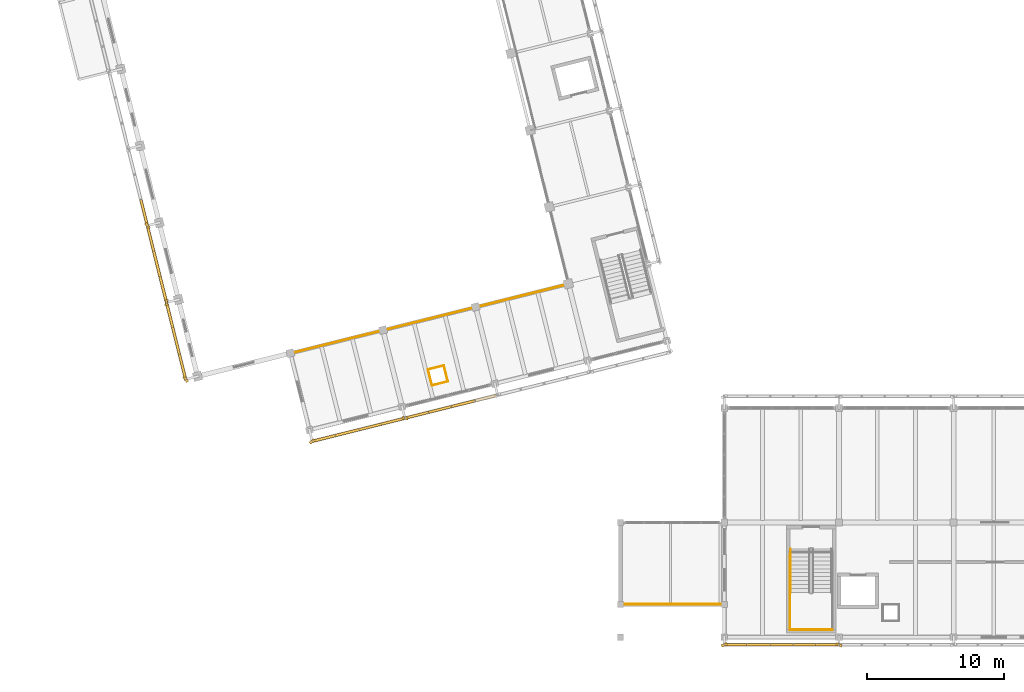
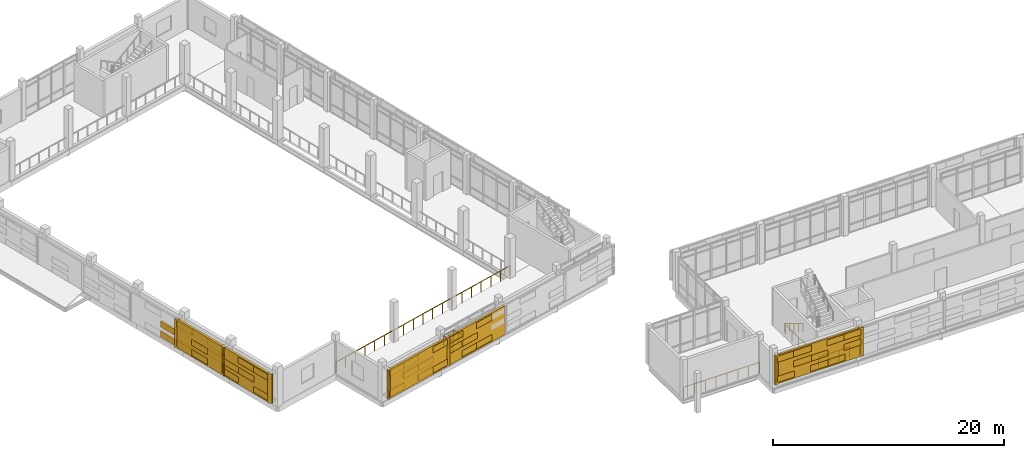
# One storey, part 120 of 137: 45 coverings, 9 railings, 5 shading devices.
"""IFC4 building model written with IfcOpenShell, lengths in metres."""

from ifc_helpers import new_model, si_unit, direction, frame, origin, origin_2d, place, context, subcontext, project, spatial, rectangle, circle, extrude, material, layer, layer_set, type_object, element, save


model = new_model("IFC4")

# Units and contexts
model_context = context("Model", 3, precision=1e-05, world=origin(), true_north=direction((0.0, 1.0)))
body_context = subcontext(model_context, "Body", "Model", "MODEL_VIEW")
ifc_project = project(units=[si_unit("LENGTHUNIT", "METRE"), si_unit("AREAUNIT", "SQUARE_METRE"), si_unit("VOLUMEUNIT", "CUBIC_METRE"), si_unit("PLANEANGLEUNIT", "RADIAN"), si_unit("MASSUNIT", "GRAM", prefix="KILO")], contexts=[model_context])

# Site, building, storey
site_placement = place(None, origin())
site = spatial("IfcSite", under=ifc_project, at=site_placement, CompositionType="ELEMENT")
building_placement = place(site_placement, origin())
building = spatial("IfcBuilding", under=site, at=building_placement, Name="Cinderway Yard Community Centre", CompositionType="ELEMENT")
storey_placement = place(building_placement, frame((0.0, 0.0, 4.800048828125)))
storey = spatial("IfcBuildingStorey", under=building, at=storey_placement, Name="L01", CompositionType="ELEMENT", Elevation=4.800048828125)

# Coverings
ifc_material_1 = material(Name="Brick Masonry", Category="masonry")
ifc_layer = layer(ifc_material_1, 0.18994140625, Name="Brick Masonry")
ifc_layer_set = layer_set([ifc_layer], Name="Brick Masonry")
covering_type = type_object("IfcCoveringType", Name="ENV-COV-BRK-SCREEN", PredefinedType="CLADDING", material=ifc_layer_set)
for number, where, z_axis, x_axis, name in (
    (1, (58.39990234375, 5.449951171875, 0.64990234375), (0.0, 0.0, 1.0), (-0.913545457643, -0.406736643076, 0.0), "Deconstructivist folded brick fin 0745"),
    (2, (66.800048828125, 5.449951171875, 0.64990234375), (0.0, 0.0, 1.0), (-0.913545457643, 0.406736643076, 0.0), "Deconstructivist folded brick fin 0746"),
):
    element("IfcCovering", number, at=place(storey_placement, frame(where, z_axis=z_axis, x_axis=x_axis)), inside=storey, type_object=covering_type, Name=name, PredefinedType="CLADDING", context=body_context, shape_type="SweptSolid", body=[
        extrude(rectangle(XDim=0.4599609375, YDim=0.199951171875, at=origin_2d()), origin(), (0.0, 0.0, 1.0), 3.050048828125),
    ])
for number, where, z_axis, x_axis, name in (
    (3, (59.239990234375, 5.449951171875, 0.7900390625), (0.0, 0.0, 1.0), (-1.0, 0.0, 0.0), "Open-bond perforated brick screen course 00752"),
    (4, (62.60009765625, 5.449951171875, 0.7900390625), (0.0, 0.0, 1.0), (-1.0, 0.0, 0.0), "Open-bond perforated brick screen course 00753"),
    (5, (64.280029296875, 5.449951171875, 0.7900390625), (0.0, 0.0, 1.0), (-1.0, 0.0, 0.0), "Open-bond perforated brick screen course 00754"),
    (6, (60.919921875, 5.449951171875, 1.85205078125), (0.0, 0.0, 1.0), (-1.0, 0.0, 0.0), "Open-bond perforated brick screen course 00755"),
    (7, (62.60009765625, 5.449951171875, 1.85205078125), (0.0, 0.0, 1.0), (-1.0, 0.0, 0.0), "Open-bond perforated brick screen course 00756"),
    (8, (65.9599609375, 5.449951171875, 1.85205078125), (0.0, 0.0, 1.0), (-1.0, 0.0, 0.0), "Open-bond perforated brick screen course 00757"),
    (9, (59.239990234375, 5.449951171875, 2.9140625), (0.0, 0.0, 1.0), (-1.0, 0.0, 0.0), "Open-bond perforated brick screen course 00758"),
    (10, (60.919921875, 5.449951171875, 2.9140625), (0.0, 0.0, 1.0), (-1.0, 0.0, 0.0), "Open-bond perforated brick screen course 00759"),
    (11, (64.280029296875, 5.449951171875, 2.9140625), (0.0, 0.0, 1.0), (-1.0, 0.0, 0.0), "Open-bond perforated brick screen course 00760"),
    (12, (65.9599609375, 5.449951171875, 2.9140625), (0.0, 0.0, 1.0), (-1.0, 0.0, 0.0), "Open-bond perforated brick screen course 00761"),
):
    element("IfcCovering", number, at=place(storey_placement, frame(where, z_axis=z_axis, x_axis=x_axis)), inside=storey, type_object=covering_type, Name=name, PredefinedType="CLADDING", context=body_context, shape_type="SweptSolid", body=[
        extrude(rectangle(XDim=1.760009765625, YDim=0.18994140625, at=origin_2d()), origin(), (0.0, 0.0, 1.0), 0.64599609375),
    ])
for number, where, z_axis, x_axis, name in (
    (13, (18.93603515625, 24.89892578125, 0.64990234375), (0.0, 0.0, 1.0), (-0.615661475326, 0.788010753607, 0.0), "Deconstructivist folded brick fin 1013"),
    (14, (17.532958984375, 30.527099609375, 0.64990234375), (0.0, 0.0, 1.0), (0.173648177667, 0.984807753012, 0.0), "Deconstructivist folded brick fin 1014"),
    (15, (16.1298828125, 36.154052734375, 0.64990234375), (0.0, 0.0, 1.0), (-0.615661475326, 0.788010753607, 0.0), "Deconstructivist folded brick fin 1015"),
):
    element("IfcCovering", number, at=place(storey_placement, frame(where, z_axis=z_axis, x_axis=x_axis)), inside=storey, type_object=covering_type, Name=name, PredefinedType="CLADDING", context=body_context, shape_type="SweptSolid", body=[
        extrude(rectangle(XDim=0.4599609375, YDim=0.199951171875, at=origin_2d()), origin(), (0.0, 0.0, 1.0), 3.050048828125),
    ])
for number, where, z_axis, x_axis, name in (
    (16, (18.701904296875, 25.8369140625, 0.7900390625), (0.0, 0.0, 1.0), (-0.2419218956, 0.970295726276, 0.0), "Open-bond perforated brick screen course 01021"),
    (17, (17.76708984375, 29.589111328125, 0.7900390625), (0.0, 0.0, 1.0), (-0.2419218956, 0.970295726276, 0.0), "Open-bond perforated brick screen course 01022"),
    (18, (18.235107421875, 27.712890625, 1.85205078125), (0.0, 0.0, 1.0), (-0.2419218956, 0.970295726276, 0.0), "Open-bond perforated brick screen course 01023"),
    (19, (17.76708984375, 29.589111328125, 1.85205078125), (0.0, 0.0, 1.0), (-0.2419218956, 0.970295726276, 0.0), "Open-bond perforated brick screen course 01024"),
    (20, (18.701904296875, 25.8369140625, 2.9140625), (0.0, 0.0, 1.0), (-0.2419218956, 0.970295726276, 0.0), "Open-bond perforated brick screen course 01025"),
    (21, (18.235107421875, 27.712890625, 2.9140625), (0.0, 0.0, 1.0), (-0.2419218956, 0.970295726276, 0.0), "Open-bond perforated brick screen course 01026"),
    (22, (16.8310546875, 33.341064453125, 0.7900390625), (0.0, 0.0, 1.0), (-0.2419218956, 0.970295726276, 0.0), "Open-bond perforated brick screen course 01027"),
    (23, (16.364013671875, 35.216064453125, 0.7900390625), (0.0, 0.0, 1.0), (-0.2419218956, 0.970295726276, 0.0), "Open-bond perforated brick screen course 01028"),
    (24, (17.299072265625, 31.465087890625, 1.85205078125), (0.0, 0.0, 1.0), (-0.2419218956, 0.970295726276, 0.0), "Open-bond perforated brick screen course 01029"),
    (25, (16.8310546875, 33.341064453125, 1.85205078125), (0.0, 0.0, 1.0), (-0.2419218956, 0.970295726276, 0.0), "Open-bond perforated brick screen course 01030"),
    (26, (17.299072265625, 31.465087890625, 2.9140625), (0.0, 0.0, 1.0), (-0.2419218956, 0.970295726276, 0.0), "Open-bond perforated brick screen course 01031"),
    (27, (16.364013671875, 35.216064453125, 2.9140625), (0.0, 0.0, 1.0), (-0.2419218956, 0.970295726276, 0.0), "Open-bond perforated brick screen course 01032"),
    (28, (15.89599609375, 37.092041015625, 0.7900390625), (0.0, 0.0, 1.0), (-0.2419218956, 0.970295726276, 0.0), "Open-bond perforated brick screen course 01033"),
    (29, (15.89599609375, 37.092041015625, 1.85205078125), (0.0, 0.0, 1.0), (-0.2419218956, 0.970295726276, 0.0), "Open-bond perforated brick screen course 01035"),
):
    element("IfcCovering", number, at=place(storey_placement, frame(where, z_axis=z_axis, x_axis=x_axis)), inside=storey, type_object=covering_type, Name=name, PredefinedType="CLADDING", context=body_context, shape_type="SweptSolid", body=[
        extrude(rectangle(XDim=2.012939453125, YDim=0.18994140625, at=origin_2d()), origin(), (0.0, 0.0, 1.0), 0.64599609375),
    ])
for number, where, z_axis, x_axis, name in (
    (30, (28.2109375, 20.35791015625, 0.64990234375), (0.0, 0.0, 1.0), (-0.788010753607, -0.615661475326, 0.0), "Deconstructivist folded brick fin 1113"),
    (31, (35.0029296875, 22.051025390625, 0.64990234375), (0.0, 0.0, 1.0), (-0.984807753012, 0.173648177667, 0.0), "Deconstructivist folded brick fin 1114"),
):
    element("IfcCovering", number, at=place(storey_placement, frame(where, z_axis=z_axis, x_axis=x_axis)), inside=storey, type_object=covering_type, Name=name, PredefinedType="CLADDING", context=body_context, shape_type="SweptSolid", body=[
        extrude(rectangle(XDim=0.4599609375, YDim=0.199951171875, at=origin_2d()), origin(), (0.0, 0.0, 1.0), 3.050048828125),
    ])
for number, where, z_axis, x_axis, name in (
    (32, (29.06005859375, 20.570068359375, 0.7900390625), (0.0, 0.0, 1.0), (-0.970295726276, -0.2419218956, 0.0), "Open-bond perforated brick screen course 01118"),
    (33, (32.4560546875, 21.416015625, 0.7900390625), (0.0, 0.0, 1.0), (-0.970295726276, -0.2419218956, 0.0), "Open-bond perforated brick screen course 01119"),
    (34, (34.154052734375, 21.839111328125, 0.7900390625), (0.0, 0.0, 1.0), (-0.970295726276, -0.2419218956, 0.0), "Open-bond perforated brick screen course 01120"),
    (35, (30.758056640625, 20.992919921875, 1.85205078125), (0.0, 0.0, 1.0), (-0.970295726276, -0.2419218956, 0.0), "Open-bond perforated brick screen course 01121"),
    (36, (32.4560546875, 21.416015625, 1.85205078125), (0.0, 0.0, 1.0), (-0.970295726276, -0.2419218956, 0.0), "Open-bond perforated brick screen course 01122"),
    (37, (29.06005859375, 20.570068359375, 2.9140625), (0.0, 0.0, 1.0), (-0.970295726276, -0.2419218956, 0.0), "Open-bond perforated brick screen course 01123"),
    (38, (30.758056640625, 20.992919921875, 2.9140625), (0.0, 0.0, 1.0), (-0.970295726276, -0.2419218956, 0.0), "Open-bond perforated brick screen course 01124"),
    (39, (34.154052734375, 21.839111328125, 2.9140625), (0.0, 0.0, 1.0), (-0.970295726276, -0.2419218956, 0.0), "Open-bond perforated brick screen course 01125"),
    (40, (37.550048828125, 22.68603515625, 0.7900390625), (0.0, 0.0, 1.0), (-0.970295726276, -0.2419218956, 0.0), "Open-bond perforated brick screen course 01126"),
    (41, (39.248046875, 23.10888671875, 0.7900390625), (0.0, 0.0, 1.0), (-0.970295726276, -0.2419218956, 0.0), "Open-bond perforated brick screen course 01127"),
    (42, (35.85205078125, 22.262939453125, 1.85205078125), (0.0, 0.0, 1.0), (-0.970295726276, -0.2419218956, 0.0), "Open-bond perforated brick screen course 01128"),
    (43, (37.550048828125, 22.68603515625, 1.85205078125), (0.0, 0.0, 1.0), (-0.970295726276, -0.2419218956, 0.0), "Open-bond perforated brick screen course 01129"),
    (44, (35.85205078125, 22.262939453125, 2.9140625), (0.0, 0.0, 1.0), (-0.970295726276, -0.2419218956, 0.0), "Open-bond perforated brick screen course 01131"),
    (45, (39.248046875, 23.10888671875, 2.9140625), (0.0, 0.0, 1.0), (-0.970295726276, -0.2419218956, 0.0), "Open-bond perforated brick screen course 01132"),
):
    element("IfcCovering", number, at=place(storey_placement, frame(where, z_axis=z_axis, x_axis=x_axis)), inside=storey, type_object=covering_type, Name=name, PredefinedType="CLADDING", context=body_context, shape_type="SweptSolid", body=[
        extrude(rectangle(XDim=1.830078125, YDim=0.18994140625, at=origin_2d()), origin(), (0.0, 0.0, 1.0), 0.64599609375),
    ])

# Shading devices
shading_device_type_1 = type_object("IfcShadingDeviceType", Name="ENV-SHD-BRICKSCREEN-A", PredefinedType="USERDEFINED", material=ifc_material_1)
shading_device_1_placement = place(storey_placement, frame((62.60009765625, 5.449951171875, 0.64990234375), z_axis=(0.0, 0.0, 1.0), x_axis=(-1.0, 0.0, 0.0)))
element("IfcShadingDevice", 46, at=shading_device_1_placement, inside=storey, type_object=shading_device_type_1, Name="South Rail-Yard Solar Screen 0552", ObjectType="PERFORATED BRICK SCREEN", PredefinedType="USERDEFINED", context=body_context, shape_type="SweptSolid", body=[
    extrude(rectangle(XDim=8.199951171875, YDim=0.18994140625, at=origin_2d()), origin(), (0.0, 0.0, 1.0), 3.050048828125),
])
for number, where, z_axis, x_axis, name in (
    (47, (31.60693359375, 21.2041015625, 0.64990234375), (0.0, 0.0, 1.0), (-0.970295726276, -0.2419218956, 0.0), "Sanctuary South Perforated Brick Screen 0833"),
    (48, (38.39892578125, 22.89794921875, 0.64990234375), (0.0, 0.0, 1.0), (-0.970295726276, -0.2419218956, 0.0), "Sanctuary South Perforated Brick Screen 0840"),
):
    element("IfcShadingDevice", number, at=place(storey_placement, frame(where, z_axis=z_axis, x_axis=x_axis)), inside=storey, type_object=shading_device_type_1, Name=name, ObjectType="PERFORATED BRICK SCREEN", PredefinedType="USERDEFINED", context=body_context, shape_type="SweptSolid", body=[
        extrude(rectangle(XDim=6.800048828125, YDim=0.18994140625, at=origin_2d()), origin(), (0.0, 0.0, 1.0), 3.050048828125),
    ])
shading_device_type_2 = type_object("IfcShadingDeviceType", Name="ENV-SHD-BRICKSCREEN-B", PredefinedType="USERDEFINED", material=ifc_material_1)
shading_device_2_placement = place(storey_placement, frame((18.235107421875, 27.712890625, 0.64990234375), z_axis=(0.0, 0.0, 1.0), x_axis=(-0.2419218956, 0.970295726276, 0.0)))
element("IfcShadingDevice", 49, at=shading_device_2_placement, inside=storey, type_object=shading_device_type_2, Name="Main Hall West Perforated Brick Screen 0746", ObjectType="PERFORATED BRICK SCREEN", PredefinedType="USERDEFINED", context=body_context, shape_type="SweptSolid", body=[
    extrude(rectangle(XDim=5.60009765625, YDim=0.18994140625, at=origin_2d()), origin(), (0.0, 0.0, 1.0), 3.050048828125),
])
shading_device_3_placement = place(storey_placement, frame((16.8310546875, 33.341064453125, 0.64990234375), z_axis=(0.0, 0.0, 1.0), x_axis=(-0.2419218956, 0.970295726276, 0.0)))
element("IfcShadingDevice", 50, at=shading_device_3_placement, inside=storey, type_object=shading_device_type_2, Name="Main Hall West Perforated Brick Screen 0752", ObjectType="PERFORATED BRICK SCREEN", PredefinedType="USERDEFINED", context=body_context, shape_type="SweptSolid", body=[
    extrude(rectangle(XDim=5.59912109375, YDim=0.18994140625, at=origin_2d()), origin(), (0.0, 0.0, 1.0), 3.050048828125),
])

# Railings
ifc_material_2 = material(Name="Painted Galvanised Steel", Category="steel")
railing_type_1 = type_object("IfcRailingType", Name="INT-RAL-BAL112", PredefinedType="BALUSTRADE", material=ifc_material_2)
railing_1_placement = place(storey_placement, frame((26.60595703125, 26.791015625, 0.0)))
element("IfcRailing", 51, at=railing_1_placement, inside=storey, type_object=railing_type_1, Name="Sanctuary Balcony Guard L01 006", PredefinedType="BALUSTRADE", context=body_context, shape_type="SweptSolid", body=[
    extrude(circle(Radius=0.02392578125, at=origin_2d()), frame((0.0, 0.0, 1.09619140625), z_axis=(0.970300944866, 0.241900964018, 0.0), x_axis=(-0.241900964018, 0.970300944866, 0.0)), (0.0, 0.0, 1.0), 21.000732421875),
    extrude(circle(Radius=0.02099609375, at=origin_2d()), origin(), (0.0, 0.0, 1.0), 1.072021484375),
    extrude(circle(Radius=0.02099609375, at=origin_2d()), frame((1.132080078125, 0.2822265625, 0.0)), (0.0, 0.0, 1.0), 1.072021484375),
    extrude(circle(Radius=0.02099609375, at=origin_2d()), frame((2.26416015625, 0.564453125, 0.0)), (0.0, 0.0, 1.0), 1.072021484375),
    extrude(circle(Radius=0.02099609375, at=origin_2d()), frame((3.396240234375, 0.8466796875, 0.0)), (0.0, 0.0, 1.0), 1.072021484375),
    extrude(circle(Radius=0.02099609375, at=origin_2d()), frame((4.5283203125, 1.12890625, 0.0)), (0.0, 0.0, 1.0), 1.072021484375),
    extrude(circle(Radius=0.02099609375, at=origin_2d()), frame((5.66015625, 1.4111328125, 0.0)), (0.0, 0.0, 1.0), 1.072021484375),
    extrude(circle(Radius=0.02099609375, at=origin_2d()), frame((6.792236328125, 1.693359375, 0.0)), (0.0, 0.0, 1.0), 1.072021484375),
    extrude(circle(Radius=0.02099609375, at=origin_2d()), frame((7.92431640625, 1.9755859375, 0.0)), (0.0, 0.0, 1.0), 1.072021484375),
    extrude(circle(Radius=0.02099609375, at=origin_2d()), frame((9.056396484375, 2.2578125, 0.0)), (0.0, 0.0, 1.0), 1.072021484375),
    extrude(circle(Radius=0.02099609375, at=origin_2d()), frame((10.1884765625, 2.5400390625, 0.0)), (0.0, 0.0, 1.0), 1.072021484375),
    extrude(circle(Radius=0.02099609375, at=origin_2d()), frame((11.320556640625, 2.822265625, 0.0)), (0.0, 0.0, 1.0), 1.072021484375),
    extrude(circle(Radius=0.02099609375, at=origin_2d()), frame((12.45263671875, 3.1044921875, 0.0)), (0.0, 0.0, 1.0), 1.072021484375),
    extrude(circle(Radius=0.02099609375, at=origin_2d()), frame((13.584716796875, 3.38671875, 0.0)), (0.0, 0.0, 1.0), 1.072021484375),
    extrude(circle(Radius=0.02099609375, at=origin_2d()), frame((14.716796875, 3.6689453125, 0.0)), (0.0, 0.0, 1.0), 1.072021484375),
    extrude(circle(Radius=0.02099609375, at=origin_2d()), frame((15.8486328125, 3.951171875, 0.0)), (0.0, 0.0, 1.0), 1.072021484375),
    extrude(circle(Radius=0.02099609375, at=origin_2d()), frame((16.980712890625, 4.2333984375, 0.0)), (0.0, 0.0, 1.0), 1.072021484375),
    extrude(circle(Radius=0.02099609375, at=origin_2d()), frame((18.11279296875, 4.515625, 0.0)), (0.0, 0.0, 1.0), 1.072021484375),
    extrude(circle(Radius=0.02099609375, at=origin_2d()), frame((19.244873046875, 4.7978515625, 0.0)), (0.0, 0.0, 1.0), 1.072021484375),
    extrude(circle(Radius=0.02099609375, at=origin_2d()), frame((20.376953125, 5.080078125, 0.0)), (0.0, 0.0, 1.0), 1.072021484375),
])
railing_2_placement = place(storey_placement, frame((50.800048828125, 8.419921875, 0.0)))
element("IfcRailing", 52, at=railing_2_placement, inside=storey, type_object=railing_type_1, Name="West Storm Arcade Upper Guard 027", PredefinedType="BALUSTRADE", context=body_context, shape_type="SweptSolid", body=[
    extrude(circle(Radius=0.02392578125, at=origin_2d()), frame((0.0, 0.0, 1.09619140625), z_axis=(1.0, 0.0, 0.0), x_axis=(0.0, 1.0, 0.0)), (0.0, 0.0, 1.0), 7.599853515625),
    extrude(circle(Radius=0.02099609375, at=origin_2d()), origin(), (0.0, 0.0, 1.0), 1.072021484375),
    extrude(circle(Radius=0.02099609375, at=origin_2d()), frame((1.085693359375, 0.0, 0.0)), (0.0, 0.0, 1.0), 1.072021484375),
    extrude(circle(Radius=0.02099609375, at=origin_2d()), frame((2.17138671875, 0.0, 0.0)), (0.0, 0.0, 1.0), 1.072021484375),
    extrude(circle(Radius=0.02099609375, at=origin_2d()), frame((3.257080078125, 0.0, 0.0)), (0.0, 0.0, 1.0), 1.072021484375),
    extrude(circle(Radius=0.02099609375, at=origin_2d()), frame((4.3427734375, 0.0, 0.0)), (0.0, 0.0, 1.0), 1.072021484375),
    extrude(circle(Radius=0.02099609375, at=origin_2d()), frame((5.428466796875, 0.0, 0.0)), (0.0, 0.0, 1.0), 1.072021484375),
    extrude(circle(Radius=0.02099609375, at=origin_2d()), frame((6.51416015625, 0.0, 0.0)), (0.0, 0.0, 1.0), 1.072021484375),
    extrude(circle(Radius=0.02099609375, at=origin_2d()), frame((7.599853515625, 0.0, 0.0)), (0.0, 0.0, 1.0), 1.072021484375),
])
railing_type_2 = type_object("IfcRailingType", Name="INT-RAL-GRD112", PredefinedType="GUARDRAIL", material=ifc_material_2)
railing_3_placement = place(storey_placement, frame((36.98095703125, 24.450927734375, 0.0)))
element("IfcRailing", 53, at=railing_3_placement, inside=storey, type_object=railing_type_2, Name="Service void perimeter guard L01 054", PredefinedType="GUARDRAIL", context=body_context, shape_type="SweptSolid", body=[
    extrude(circle(Radius=0.02392578125, at=origin_2d()), frame((0.0, 0.0, 1.09619140625), z_axis=(0.970333736057, 0.241769395645, 0.0), x_axis=(-0.241769395645, 0.970333736057, 0.0)), (0.0, 0.0, 1.0), 1.19970703125),
    extrude(circle(Radius=0.02099609375, at=origin_2d()), origin(), (0.0, 0.0, 1.0), 1.072021484375),
    extrude(circle(Radius=0.02099609375, at=origin_2d()), frame((1.1640625, 0.2900390625, 0.0)), (0.0, 0.0, 1.0), 1.072021484375),
])
railing_4_placement = place(storey_placement, frame((38.14501953125, 24.740966796875, 0.0)))
element("IfcRailing", 54, at=railing_4_placement, inside=storey, type_object=railing_type_2, Name="Service void perimeter guard L01 055", PredefinedType="GUARDRAIL", context=body_context, shape_type="SweptSolid", body=[
    extrude(circle(Radius=0.02392578125, at=origin_2d()), frame((0.0, 0.0, 1.09619140625), z_axis=(-0.24157857074, 0.970381262267, 0.0), x_axis=(-0.970381262267, -0.24157857074, 0.0)), (0.0, 0.0, 1.0), 1.20068359375),
    extrude(circle(Radius=0.02099609375, at=origin_2d()), origin(), (0.0, 0.0, 1.0), 1.072021484375),
    extrude(circle(Radius=0.02099609375, at=origin_2d()), frame((-0.14501953125, 0.58251953125, 0.0)), (0.0, 0.0, 1.0), 1.072021484375),
    extrude(circle(Radius=0.02099609375, at=origin_2d()), frame((-0.2900390625, 1.1650390625, 0.0)), (0.0, 0.0, 1.0), 1.072021484375),
])
railing_5_placement = place(storey_placement, frame((37.85498046875, 25.906005859375, 0.0)))
element("IfcRailing", 55, at=railing_5_placement, inside=storey, type_object=railing_type_2, Name="Service void perimeter guard L01 056", PredefinedType="GUARDRAIL", context=body_context, shape_type="SweptSolid", body=[
    extrude(circle(Radius=0.02392578125, at=origin_2d()), frame((0.0, 0.0, 1.09619140625), z_axis=(-0.970381262267, -0.24157857074, 0.0), x_axis=(0.24157857074, -0.970381262267, 0.0)), (0.0, 0.0, 1.0), 1.20068359375),
    extrude(circle(Radius=0.02099609375, at=origin_2d()), origin(), (0.0, 0.0, 1.0), 1.072021484375),
    extrude(circle(Radius=0.02099609375, at=origin_2d()), frame((-0.58251953125, -0.14501953125, 0.0)), (0.0, 0.0, 1.0), 1.072021484375),
    extrude(circle(Radius=0.02099609375, at=origin_2d()), frame((-1.1650390625, -0.2900390625, 0.0)), (0.0, 0.0, 1.0), 1.072021484375),
])
railing_6_placement = place(storey_placement, frame((36.68994140625, 25.615966796875, 0.0)))
element("IfcRailing", 56, at=railing_6_placement, inside=storey, type_object=railing_type_2, Name="Service void perimeter guard L01 057", PredefinedType="GUARDRAIL", context=body_context, shape_type="SweptSolid", body=[
    extrude(circle(Radius=0.02392578125, at=origin_2d()), frame((0.0, 0.0, 1.09619140625), z_axis=(0.242344270717, -0.970190318675, 0.0), x_axis=(0.970190318675, 0.242344270717, 0.0)), (0.0, 0.0, 1.0), 1.200927734375),
    extrude(circle(Radius=0.02099609375, at=origin_2d()), origin(), (0.0, 0.0, 1.0), 1.072021484375),
    extrude(circle(Radius=0.02099609375, at=origin_2d()), frame((0.1455078125, -0.58251953125, 0.0)), (0.0, 0.0, 1.0), 1.072021484375),
    extrude(circle(Radius=0.02099609375, at=origin_2d()), frame((0.291015625, -1.1650390625, 0.0)), (0.0, 0.0, 1.0), 1.072021484375),
])
railing_7_placement = place(storey_placement, frame((63.199951171875, 12.22998046875, 0.0)))
element("IfcRailing", 57, at=railing_7_placement, inside=storey, type_object=railing_type_2, Name="Service void perimeter guard L01 071", PredefinedType="GUARDRAIL", context=body_context, shape_type="SweptSolid", body=[
    extrude(circle(Radius=0.02392578125, at=origin_2d()), frame((0.0, 0.0, 1.09619140625), z_axis=(0.0, -1.0, 0.0), x_axis=(1.0, 0.0, 0.0)), (0.0, 0.0, 1.0), 5.679931640625),
    extrude(circle(Radius=0.02099609375, at=origin_2d()), origin(), (0.0, 0.0, 1.0), 1.072021484375),
    extrude(circle(Radius=0.02099609375, at=origin_2d()), frame((0.0, -1.135986328125, 0.0)), (0.0, 0.0, 1.0), 1.072021484375),
    extrude(circle(Radius=0.02099609375, at=origin_2d()), frame((0.0, -2.27197265625, 0.0)), (0.0, 0.0, 1.0), 1.072021484375),
    extrude(circle(Radius=0.02099609375, at=origin_2d()), frame((0.0, -3.407958984375, 0.0)), (0.0, 0.0, 1.0), 1.072021484375),
    extrude(circle(Radius=0.02099609375, at=origin_2d()), frame((0.0, -4.5439453125, 0.0)), (0.0, 0.0, 1.0), 1.072021484375),
    extrude(circle(Radius=0.02099609375, at=origin_2d()), frame((0.0, -5.679931640625, 0.0)), (0.0, 0.0, 1.0), 1.072021484375),
])
railing_8_placement = place(storey_placement, frame((63.199951171875, 6.550048828125, 0.0)))
element("IfcRailing", 58, at=railing_8_placement, inside=storey, type_object=railing_type_2, Name="Service void perimeter guard L01 072", PredefinedType="GUARDRAIL", context=body_context, shape_type="SweptSolid", body=[
    extrude(circle(Radius=0.02392578125, at=origin_2d()), frame((0.0, 0.0, 1.09619140625), z_axis=(1.0, 0.0, 0.0), x_axis=(0.0, 1.0, 0.0)), (0.0, 0.0, 1.0), 3.1201171875),
    extrude(circle(Radius=0.02099609375, at=origin_2d()), origin(), (0.0, 0.0, 1.0), 1.072021484375),
    extrude(circle(Radius=0.02099609375, at=origin_2d()), frame((1.0400390625, 0.0, 0.0)), (0.0, 0.0, 1.0), 1.072021484375),
    extrude(circle(Radius=0.02099609375, at=origin_2d()), frame((2.080078125, 0.0, 0.0)), (0.0, 0.0, 1.0), 1.072021484375),
    extrude(circle(Radius=0.02099609375, at=origin_2d()), frame((3.1201171875, 0.0, 0.0)), (0.0, 0.0, 1.0), 1.072021484375),
])
railing_type_3 = type_object("IfcRailingType", Name="INT-RAL-HND090", PredefinedType="HANDRAIL", material=ifc_material_2)
railing_9_placement = place(storey_placement, frame((63.25, 12.469970703125, 0.175048828125)))
element("IfcRailing", 59, at=railing_9_placement, inside=storey, type_object=railing_type_3, Name="L01 ST-09 stair handrail 1", PredefinedType="HANDRAIL", context=body_context, shape_type="SweptSolid", body=[
    extrude(circle(Radius=0.02392578125, at=origin_2d()), frame((0.0, 0.0, 0.8759765625), z_axis=(0.0, -0.856206652436, 0.516633495163), x_axis=(1.0, 0.0, 0.0)), (0.0, 0.0, 1.0), 3.7255859375),
    extrude(circle(Radius=0.02099609375, at=origin_2d()), origin(), (0.0, 0.0, 1.0), 0.851806640625),
    extrude(circle(Radius=0.02099609375, at=origin_2d()), frame((0.0, -0.79736328125, 0.481201171875)), (0.0, 0.0, 1.0), 0.851806640625),
    extrude(circle(Radius=0.02099609375, at=origin_2d()), frame((0.0, -1.594970703125, 0.96240234375)), (0.0, 0.0, 1.0), 0.851806640625),
    extrude(circle(Radius=0.02099609375, at=origin_2d()), frame((0.0, -2.392578125, 1.443603515625)), (0.0, 0.0, 1.0), 0.851806640625),
    extrude(circle(Radius=0.02099609375, at=origin_2d()), frame((0.0, -3.18994140625, 1.9248046875)), (0.0, 0.0, 1.0), 0.851806640625),
])

save(model, "model.ifc")
